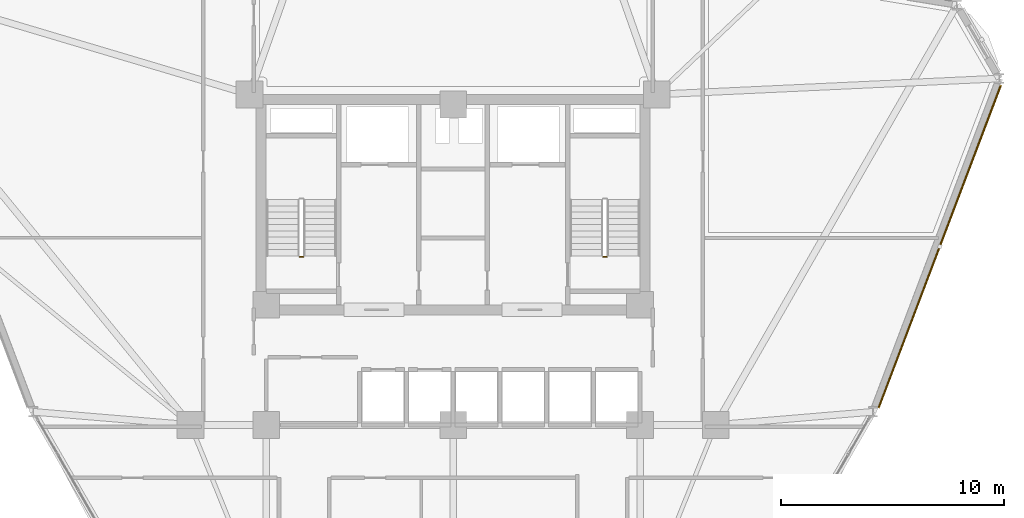
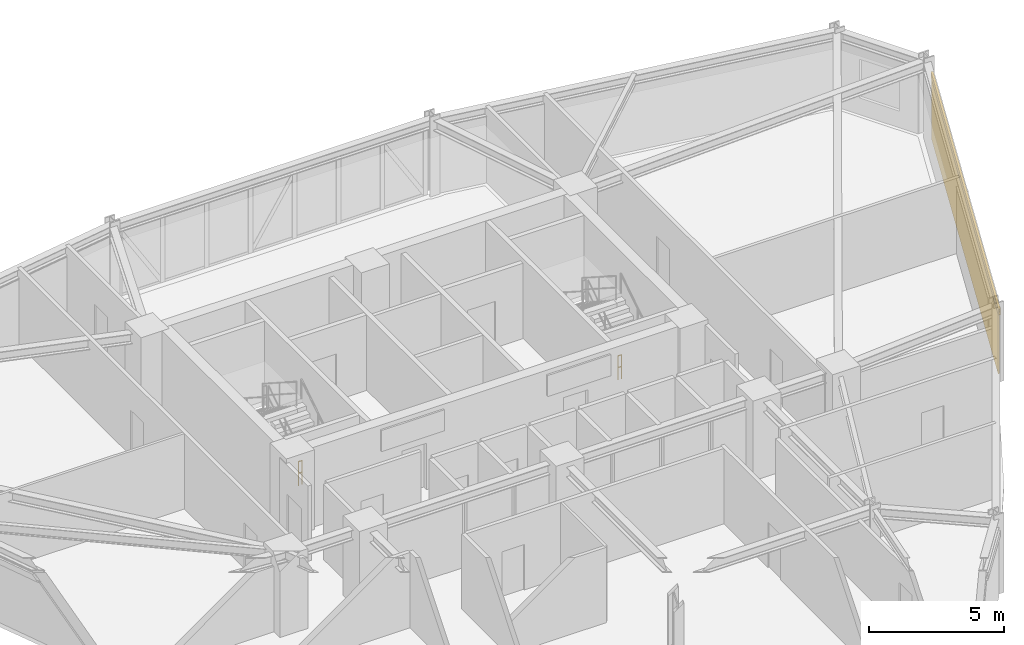
# One storey, part 15 of 17: 2 railings, 1 covering, 1 shading device.
"""IFC4 building model written with IfcOpenShell, lengths in metres."""

from ifc_helpers import new_model, si_unit, derived_unit, direction, frame, origin, origin_2d, place, context, subcontext, project, spatial, polyline, hollow_rectangle, circle, outline, extrude, source, transform, mapped, material, layer, layer_set, material_profile, profile_set, type_object, element, save


model = new_model("IFC4")

# Units and contexts
model_context = context("Model", 3, precision=1e-05, world=origin(), true_north=direction((0.0, 1.0)))
body_context = subcontext(model_context, "Body", "Model", "MODEL_VIEW")
ifc_project = project(units=[si_unit("LENGTHUNIT", "METRE"), si_unit("AREAUNIT", "SQUARE_METRE"), si_unit("VOLUMEUNIT", "CUBIC_METRE"), si_unit("PLANEANGLEUNIT", "RADIAN"), si_unit("MASSUNIT", "GRAM", prefix="KILO"), derived_unit("THERMALTRANSMITTANCEUNIT", [(si_unit("POWERUNIT", "WATT"), 1), (si_unit("LENGTHUNIT", "METRE"), -2), (si_unit("THERMODYNAMICTEMPERATUREUNIT", "KELVIN"), -1)])], contexts=[model_context])

# Site, building, storey
site_placement = place(None, origin())
site = spatial("IfcSite", under=ifc_project, at=site_placement, CompositionType="ELEMENT")
building_placement = place(site_placement, origin())
building = spatial("IfcBuilding", under=site, at=building_placement, Name="Korsvarv Bourse and Concert Hall", CompositionType="ELEMENT")
storey_placement = place(building_placement, frame((0.0, 0.0, 120.60009765625)))
storey = spatial("IfcBuildingStorey", under=building, at=storey_placement, Name="L30", CompositionType="ELEMENT", Elevation=120.60009765625)

# Covering
ifc_material_1 = material(Name="Warm iron-oxide extruded terracotta rainscreen tile", Category="ceramic")
ifc_layer = layer(ifc_material_1, 0.044921875)
ifc_layer_set = layer_set([ifc_layer], Name="Warm iron-oxide extruded terracotta rainscreen tile")
covering_type = type_object("IfcCoveringType", Name="COV-CLD-TC", PredefinedType="CLADDING", material=ifc_layer_set)
covering_placement = place(storey_placement, origin())
element("IfcCovering", 1, at=covering_placement, inside=storey, type_object=covering_type, Name="L30 fluted terracotta cladding panel EW-L30-B12", PredefinedType="CLADDING", context=body_context, shape_type="SweptSolid", body=[
    extrude(outline(polyline([(55.107177734375, 33.2509765625), (60.551513671875, 47.61083984375), (60.593505859375, 47.594970703125), (55.149169921875, 33.235107421875), (55.107177734375, 33.2509765625)])), origin(), (0.0, 0.0, 1.0), 2.679931640625),
])

# Railings
ifc_material_2 = material(Name="Painted Steel S355 stair well guardrail", Category="steel")
railing_type = type_object("IfcRailingType", Name="RL-ST-GRD", PredefinedType="GUARDRAIL", material=ifc_material_2)
for number, where, name in (
    (2, (29.260009765625, 39.949951171875, 0.0), "L30 ST-T1 stair guard 4"),
    (3, (42.89990234375, 39.949951171875, 0.0), "L30 ST-T2 stair guard 4"),
):
    element("IfcRailing", number, at=place(storey_placement, frame(where)), inside=storey, type_object=railing_type, Name=name, PredefinedType="GUARDRAIL", context=body_context, shape_type="SweptSolid", body=[
        extrude(circle(Radius=0.02392578125, at=origin_2d()), frame((0.0, 0.0, 1.076171875), z_axis=(-1.0, 0.0, 0.0), x_axis=(0.0, -1.0, 0.0)), (0.0, 0.0, 1.0), 0.159912109375),
        extrude(circle(Radius=0.02392578125, at=origin_2d()), frame((0.0, 0.0, 0.550048828125), z_axis=(-1.0, 0.0, 0.0), x_axis=(0.0, -1.0, 0.0)), (0.0, 0.0, 1.0), 0.159912109375),
        extrude(circle(Radius=0.02099609375, at=origin_2d()), origin(), (0.0, 0.0, 1.0), 1.052001953125),
        extrude(circle(Radius=0.02099609375, at=origin_2d()), frame((-0.159912109375, 0.0, 0.0)), (0.0, 0.0, 1.0), 1.052001953125),
    ])

# Shading device
ifc_material_3 = material(Name="Glazed extruded architectural terracotta", Category="ceramic")
ifc_material_profile = material_profile(ifc_material_3, hollow_rectangle(XDim=0.090087890625, YDim=0.260009765625, WallThickness=0.011962890625, at=origin_2d()), Name="TC-BAG 90x260")
ifc_profile_set = profile_set([ifc_material_profile], Name="Glazed extruded architectural terracotta")
shading_device_type = type_object("IfcShadingDeviceType", Name="SHD-BAG-1", PredefinedType="USERDEFINED", material=ifc_profile_set)
shared_shape = source(origin(), body_context, "Body", "SweptSolid", [
    extrude(hollow_rectangle(XDim=0.090087890625, YDim=0.260009765625, WallThickness=0.011962890625, at=origin_2d()), origin(), (0.0, 0.0, 1.0), 15.517333984375),
])
shading_device_placement = place(storey_placement, frame((55.1162109375, 33.162109375, 2.83984375), z_axis=(0.354505776015, 0.935053824532, 0.0), x_axis=(-0.935053824532, 0.354505776015, 0.0)))
element("IfcShadingDevice", 4, at=shading_device_placement, inside=storey, type_object=shading_device_type, Name="L30 terracotta baguette sunshade EW-L30-B12", ObjectType="BAGUETTE", PredefinedType="USERDEFINED", context=body_context, shape_type="MappedRepresentation", body=[
    mapped(shared_shape, transform((0.0, 0.0, 0.0), scale=1.0)),
])

save(model, "model.ifc")
